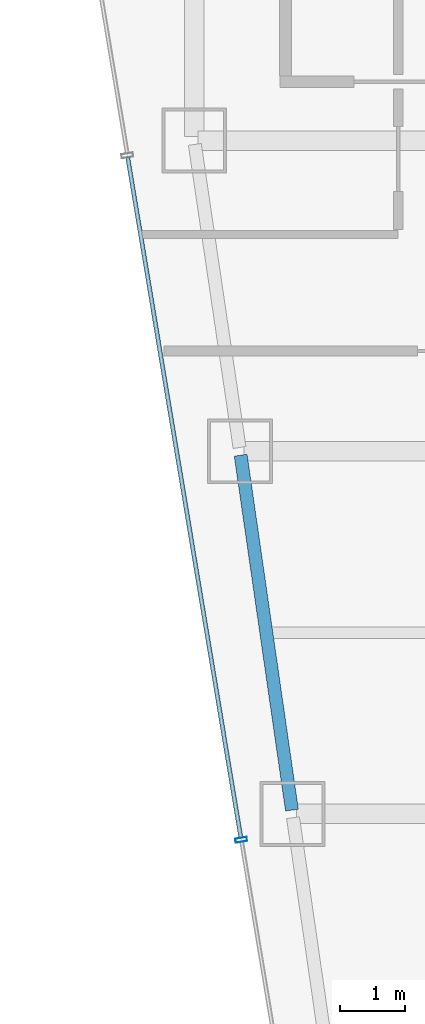
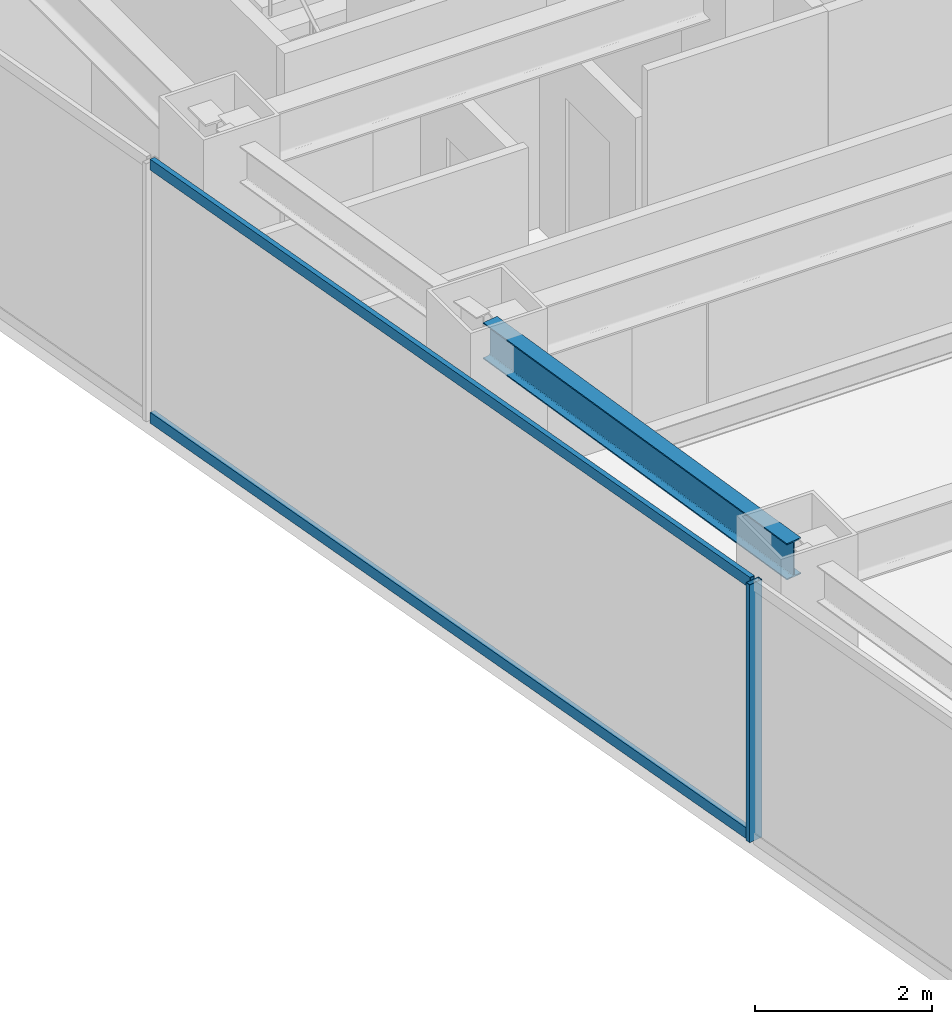
# One storey, part 9 of 37: 3 members, 1 beam, 1 element without a shape of its own.
"""IFC4 building model written with IfcOpenShell, lengths in metres."""

from ifc_helpers import new_model, si_unit, direction, frame, origin, origin_2d, place, context, subcontext, project, spatial, hollow_rectangle, i_section, extrude, material, material_profile, profile_set, type_object, element, aggregate, save


model = new_model("IFC4")

# Units and contexts
model_context = context("Model", 3, precision=1e-05, world=origin(), true_north=direction((0.0, 1.0)))
body_context = subcontext(model_context, "Body", "Model", "MODEL_VIEW")
ifc_project = project(units=[si_unit("LENGTHUNIT", "METRE"), si_unit("AREAUNIT", "SQUARE_METRE"), si_unit("VOLUMEUNIT", "CUBIC_METRE"), si_unit("PLANEANGLEUNIT", "RADIAN"), si_unit("MASSUNIT", "GRAM", prefix="KILO")], contexts=[model_context])

# Site, building, storey
site_placement = place(None, origin())
site = spatial("IfcSite", under=ifc_project, at=site_placement, CompositionType="ELEMENT")
building_placement = place(site_placement, origin())
building = spatial("IfcBuilding", under=site, at=building_placement, Name="Saevonmaru Cultural Tower", CompositionType="ELEMENT")
storey_placement = place(building_placement, frame((0.0, 0.0, 144.800048828125)))
storey = spatial("IfcBuildingStorey", under=building, at=storey_placement, Name="L31", CompositionType="ELEMENT", Elevation=144.800048828125)

# Beam
ifc_material_1 = material(Name="Steel SM355", Category="steel")
ifc_material_profile_1 = material_profile(ifc_material_1, i_section(OverallWidth=0.199951171875, OverallDepth=0.5, WebThickness=0.010009765625, FlangeThickness=0.01611328125, FilletRadius=0.02001953125, at=origin_2d()), Name="H-500x200x10x16")
ifc_profile_set_1 = profile_set([ifc_material_profile_1], Name="Steel SM355")
beam_type = type_object("IfcBeamType", Name="BM-SP-H500", PredefinedType="SPANDREL", material=ifc_profile_set_1)
beam_placement = place(storey_placement, frame((8.308349609375, 32.059326171875, 3.300048828125), z_axis=(-0.142964121327, 0.989727871697, 0.0), x_axis=(-0.989727871697, -0.142964121327, 0.0)))
element("IfcBeam", 1, at=beam_placement, inside=storey, type_object=beam_type, Name="L31 West Splayed Spandrel 4", PredefinedType="SPANDREL", context=body_context, shape_type="SweptSolid", body=[
    extrude(i_section(OverallWidth=0.199951171875, OverallDepth=0.5, WebThickness=0.010009765625, FlangeThickness=0.01611328125, FilletRadius=0.02001953125, at=origin_2d()), origin(), (0.0, 0.0, 1.0), 5.5380859375),
])

# Curtain wall, members
ifc_material_2 = material(Name="Satin Bronze Anodised Aluminium", Category="aluminium")
curtain_wall_type = type_object("IfcCurtainWallType", Name="CW-TYP-A", PredefinedType="NOTDEFINED", material=ifc_material_2)
curtain_wall_placement = place(storey_placement, origin())
curtain_wall = element("IfcCurtainWall", 2, at=curtain_wall_placement, inside=storey, type_object=curtain_wall_type, Name="L31 Unitised Curtain Wall E12", PredefinedType="NOTDEFINED")
ifc_material_profile_2 = material_profile(ifc_material_2, hollow_rectangle(XDim=0.06494140625, YDim=0.179931640625, WallThickness=0.00390625, at=origin_2d()), Name="ALU-MULL-180x65x4")
ifc_profile_set_2 = profile_set([ifc_material_profile_2], Name="Satin Bronze Anodised Aluminium")
member_type_1 = type_object("IfcMemberType", Name="ML-CW-180x65", PredefinedType="MULLION", material=ifc_profile_set_2)
member_1_placement = place(storey_placement, frame((7.5244140625, 31.60009765625, 0.0), z_axis=(0.0, 0.0, 1.0), x_axis=(0.163998702345, -0.986460554523, 0.0)))
member_1 = element("IfcMember", 3, at=member_1_placement, type_object=member_type_1, Name="CW-TW-L31-E12 mullion 3", PredefinedType="MULLION", context=body_context, shape_type="SweptSolid", body=[
    extrude(hollow_rectangle(XDim=0.06494140625, YDim=0.179931640625, WallThickness=0.00390625, at=origin_2d()), origin(), (0.0, 0.0, 1.0), 3.550048828125),
])
ifc_material_profile_3 = material_profile(ifc_material_2, hollow_rectangle(XDim=0.06494140625, YDim=0.14990234375, WallThickness=0.00390625, at=origin_2d()), Name="ALU-TRAN-150x65x4")
ifc_profile_set_3 = profile_set([ifc_material_profile_3], Name="Satin Bronze Anodised Aluminium")
member_type_2 = type_object("IfcMemberType", Name="TR-CW-150x65", PredefinedType="USERDEFINED", material=ifc_profile_set_3)
member_2_placement = place(storey_placement, frame((5.7724609375, 42.138427734375, 0.032470703125), z_axis=(0.163990079074, -0.9864619881, 0.0), x_axis=(0.9864619881, 0.163990079074, 0.0)))
member_2 = element("IfcMember", 4, at=member_2_placement, type_object=member_type_2, Name="CW-TW-L31-E12 transom 2.1", ObjectType="TRANSOM", PredefinedType="USERDEFINED", context=body_context, shape_type="SweptSolid", body=[
    extrude(hollow_rectangle(XDim=0.06494140625, YDim=0.14990234375, WallThickness=0.00390625, at=origin_2d()), origin(), (0.0, 0.0, 1.0), 10.650634765625),
])
member_3_placement = place(storey_placement, frame((5.7724609375, 42.138427734375, 3.517333984375), z_axis=(0.163990079074, -0.9864619881, 0.0), x_axis=(0.9864619881, 0.163990079074, 0.0)))
member_3 = element("IfcMember", 5, at=member_3_placement, type_object=member_type_2, Name="CW-TW-L31-E12 transom 2.2", ObjectType="TRANSOM", PredefinedType="USERDEFINED", context=body_context, shape_type="SweptSolid", body=[
    extrude(hollow_rectangle(XDim=0.06494140625, YDim=0.14990234375, WallThickness=0.00390625, at=origin_2d()), origin(), (0.0, 0.0, 1.0), 10.650634765625),
])
aggregate(curtain_wall, [member_1, member_2, member_3])

save(model, "model.ifc")
